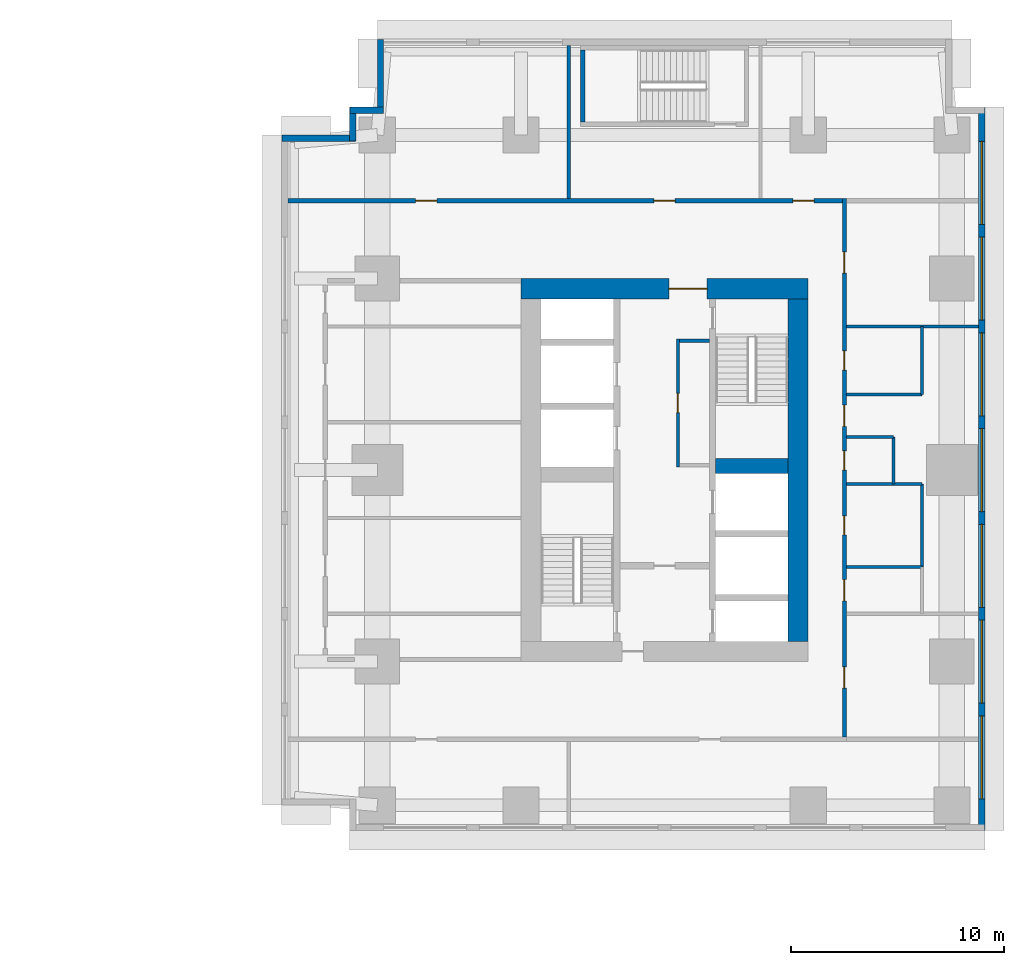
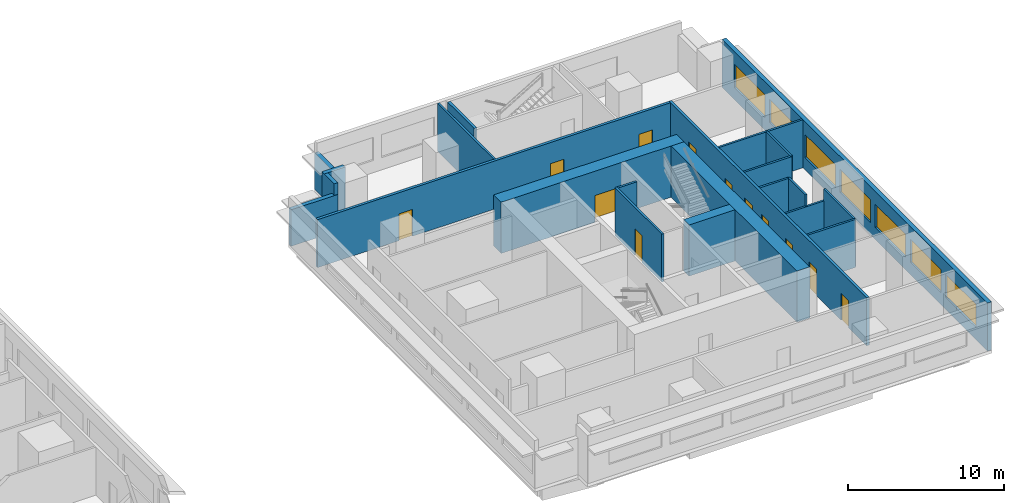
# One storey, part 7 of 11: 22 walls, 12 doors, 7 windows, 19 openings.
"""IFC4 building model written with IfcOpenShell, lengths in metres."""

from ifc_helpers import new_model, si_unit, direction, frame, frame_2d, origin, place, context, subcontext, project, spatial, rectangle, extrude, material, layer, layer_set, type_object, element, fill, save


model = new_model("IFC4")

# Units and contexts
model_context = context("Model", 3, precision=1e-05, world=origin(), true_north=direction((0.0, 1.0)))
body_context = subcontext(model_context, "Body", "Model", "MODEL_VIEW")
ifc_project = project(units=[si_unit("LENGTHUNIT", "METRE"), si_unit("AREAUNIT", "SQUARE_METRE"), si_unit("VOLUMEUNIT", "CUBIC_METRE"), si_unit("PLANEANGLEUNIT", "RADIAN"), si_unit("MASSUNIT", "GRAM", prefix="KILO")], contexts=[model_context])

# Site, building, storey
site_placement = place(None, origin())
site = spatial("IfcSite", under=ifc_project, at=site_placement, CompositionType="ELEMENT")
building_placement = place(site_placement, origin())
building = spatial("IfcBuilding", under=site, at=building_placement, Name="Namib Vertical Campus", CompositionType="ELEMENT")
storey_placement = place(building_placement, frame((0.0, 0.0, 85.0)))
storey = spatial("IfcBuildingStorey", under=building, at=storey_placement, Name="L19", CompositionType="ELEMENT", Elevation=85.0)

# Walls
ifc_material_1 = material(Name="Concrete C60/75", Category="concrete")
ifc_layer_1 = layer(ifc_material_1, 0.699951171875)
ifc_layer_set_1 = layer_set([ifc_layer_1], Name="Concrete C60/75")
wall_type_1 = type_object("IfcWallType", Name="Core shear wall 700", PredefinedType="SHEAR", material=ifc_layer_set_1)
wall_1_placement = place(storey_placement, frame((83.39990234375, 20.449951171875, 0.0), z_axis=(0.0, 0.0, 1.0), x_axis=(1.0, 0.0, 0.0)))
element("IfcWall", 1, at=wall_1_placement, inside=storey, type_object=wall_type_1, Name="Core shear wall B L19 W7", PredefinedType="SHEAR", context=body_context, shape_type="SweptSolid", body=[
    extrude(rectangle(XDim=3.400146484375, YDim=0.699951171875, at=frame_2d((1.7001953125, 0.0))), origin(), (0.0, 0.0, 1.0), 4.0),
])
ifc_material_2 = material(Name="Concrete C60/75", Category="concrete")
ifc_layer_2 = layer(ifc_material_2, 0.949951171875)
ifc_layer_set_2 = layer_set([ifc_layer_2], Name="Concrete C60/75")
wall_type_2 = type_object("IfcWallType", Name="Core wall 950", PredefinedType="SHEAR", material=ifc_layer_set_2)
wall_2_placement = place(storey_placement, frame((87.27490234375, 12.199951171875, 0.0), z_axis=(0.0, 0.0, 1.0), x_axis=(0.0, 1.0, 0.0)))
element("IfcWall", 2, at=wall_2_placement, inside=storey, type_object=wall_type_2, Name="Core wall B L19 2", PredefinedType="SHEAR", context=body_context, shape_type="SweptSolid", body=[
    extrude(rectangle(XDim=16.10009765625, YDim=0.949951171875, at=frame_2d((8.050048828125, 0.0))), origin(), (0.0, 0.0, 1.0), 4.0),
])

# Wall, opening, door
wall_3_placement = place(storey_placement, frame((87.75, 28.77490234375, 0.0), z_axis=(0.0, 0.0, 1.0), x_axis=(-1.0, 0.0, 0.0)))
wall_3 = element("IfcWall", 3, at=wall_3_placement, inside=storey, type_object=wall_type_2, Name="Core wall B L19 3", PredefinedType="SHEAR", context=body_context, shape_type="SweptSolid", body=[
    extrude(rectangle(XDim=13.5, YDim=0.949951171875, at=frame_2d((6.75, 0.0))), origin(), (0.0, 0.0, 1.0), 4.0),
])
opening_1_placement = place(wall_3_placement, frame((4.75, 0.0, 0.0)))
opening_1 = element("IfcOpeningElement", 4, at=opening_1_placement, cuts=wall_3, Name="Opening FD2", PredefinedType="OPENING", context=body_context, shape_type="SweptSolid", body=[
    extrude(rectangle(XDim=1.800048828125, YDim=2.10009765625, at=frame_2d((0.89990234375, 1.050048828125))), frame((0.0, 0.48486328125, 0.0), z_axis=(0.0, -1.0, 0.0), x_axis=(1.0, 0.0, 0.0)), (0.0, 0.0, 1.0), 0.969970703125),
])
ifc_material_3 = material(Name="Steel fire door", Category="steel")
door_type_1 = type_object("IfcDoorType", Name="Fire door double 1800x2100", OperationType="DOUBLE_DOOR_SINGLE_SWING", PredefinedType="DOOR", material=ifc_material_3)
door_1_placement = place(opening_1_placement, origin())
door_1 = element("IfcDoor", 5, at=door_1_placement, inside=storey, type_object=door_type_1, Name="Lift lobby door FD2 B L19", OperationType="DOUBLE_DOOR_SINGLE_SWING", OverallHeight=2.10009765625, OverallWidth=1.800048828125, PredefinedType="DOOR", context=body_context, shape_type="SweptSolid", body=[
    extrude(rectangle(XDim=1.800048828125, YDim=2.10009765625, at=frame_2d((0.89990234375, 1.050048828125))), frame((0.0, 0.02490234375, 0.0), z_axis=(0.0, -1.0, 0.0), x_axis=(1.0, 0.0, 0.0)), (0.0, 0.0, 1.0), 0.050048828125),
])
fill(opening_1, door_1)

# Wall, openings, doors
ifc_material_4 = material(Name="Concrete masonry", Category="masonry")
ifc_layer_3 = layer(ifc_material_4, 0.199951171875)
ifc_layer_set_3 = layer_set([ifc_layer_3], Name="Corridor wall 200")
wall_type_3 = type_object("IfcWallType", Name="Corridor wall 200", PredefinedType="SOLIDWALL", material=ifc_layer_set_3)
wall_4_placement = place(storey_placement, frame((89.449951171875, 7.699951171875, 0.0), z_axis=(0.0, 0.0, 1.0), x_axis=(0.0, 1.0, 0.0)))
wall_4 = element("IfcWall", 6, at=wall_4_placement, inside=storey, type_object=wall_type_3, Name="Corridor wall B L19 CE", PredefinedType="SOLIDWALL", context=body_context, shape_type="SweptSolid", body=[
    extrude(rectangle(XDim=25.300048828125, YDim=0.199951171875, at=frame_2d((12.64990234375, 0.0))), origin(), (0.0, 0.0, 1.0), 3.75),
])
opening_2_placement = place(wall_4_placement, frame((2.300048828125, 0.0, 0.0)))
opening_2 = element("IfcOpeningElement", 7, at=opening_2_placement, cuts=wall_4, Name="Opening CD1", PredefinedType="OPENING", context=body_context, shape_type="SweptSolid", body=[
    extrude(rectangle(XDim=1.0, YDim=2.10009765625, at=frame_2d((0.5, 1.050048828125))), frame((0.0, 0.10986328125, 0.0), z_axis=(0.0, -1.0, 0.0), x_axis=(1.0, 0.0, 0.0)), (0.0, 0.0, 1.0), 0.219970703125),
])
opening_3_placement = place(wall_4_placement, frame((6.39990234375, 0.0, 0.0)))
opening_3 = element("IfcOpeningElement", 8, at=opening_3_placement, cuts=wall_4, Name="Opening CD1", PredefinedType="OPENING", context=body_context, shape_type="SweptSolid", body=[
    extrude(rectangle(XDim=1.0, YDim=2.10009765625, at=frame_2d((0.5, 1.050048828125))), frame((0.0, 0.10986328125, 0.0), z_axis=(0.0, -1.0, 0.0), x_axis=(1.0, 0.0, 0.0)), (0.0, 0.0, 1.0), 0.219970703125),
])
opening_4_placement = place(wall_4_placement, frame((9.5, 0.0, 0.0)))
opening_4 = element("IfcOpeningElement", 9, at=opening_4_placement, cuts=wall_4, Name="Opening CD3", PredefinedType="OPENING", context=body_context, shape_type="SweptSolid", body=[
    extrude(rectangle(XDim=0.89990234375, YDim=2.10009765625, at=frame_2d((0.449951171875, 1.050048828125))), frame((0.0, 0.10986328125, 0.0), z_axis=(0.0, -1.0, 0.0), x_axis=(1.0, 0.0, 0.0)), (0.0, 0.0, 1.0), 0.219970703125),
])
opening_5_placement = place(wall_4_placement, frame((12.550048828125, 0.0, 0.0)))
opening_5 = element("IfcOpeningElement", 10, at=opening_5_placement, cuts=wall_4, Name="Opening CD3", PredefinedType="OPENING", context=body_context, shape_type="SweptSolid", body=[
    extrude(rectangle(XDim=0.89990234375, YDim=2.10009765625, at=frame_2d((0.449951171875, 1.050048828125))), frame((0.0, 0.10986328125, 0.0), z_axis=(0.0, -1.0, 0.0), x_axis=(1.0, 0.0, 0.0)), (0.0, 0.0, 1.0), 0.219970703125),
])
opening_6_placement = place(wall_4_placement, frame((17.25, 0.0, 0.0)))
opening_6 = element("IfcOpeningElement", 11, at=opening_6_placement, cuts=wall_4, Name="Opening CD3", PredefinedType="OPENING", context=body_context, shape_type="SweptSolid", body=[
    extrude(rectangle(XDim=0.89990234375, YDim=2.10009765625, at=frame_2d((0.449951171875, 1.050048828125))), frame((0.0, 0.10986328125, 0.0), z_axis=(0.0, -1.0, 0.0), x_axis=(1.0, 0.0, 0.0)), (0.0, 0.0, 1.0), 0.219970703125),
])
opening_7_placement = place(wall_4_placement, frame((14.60009765625, 0.0, 0.0)))
opening_7 = element("IfcOpeningElement", 12, at=opening_7_placement, cuts=wall_4, Name="Opening CD1", PredefinedType="OPENING", context=body_context, shape_type="SweptSolid", body=[
    extrude(rectangle(XDim=1.0, YDim=2.10009765625, at=frame_2d((0.5, 1.050048828125))), frame((0.0, 0.10986328125, 0.0), z_axis=(0.0, -1.0, 0.0), x_axis=(1.0, 0.0, 0.0)), (0.0, 0.0, 1.0), 0.219970703125),
])
opening_8_placement = place(wall_4_placement, frame((21.800048828125, 0.0, 0.0)))
opening_8 = element("IfcOpeningElement", 13, at=opening_8_placement, cuts=wall_4, Name="Opening CD1", PredefinedType="OPENING", context=body_context, shape_type="SweptSolid", body=[
    extrude(rectangle(XDim=1.0, YDim=2.10009765625, at=frame_2d((0.5, 1.050048828125))), frame((0.0, 0.10986328125, 0.0), z_axis=(0.0, -1.0, 0.0), x_axis=(1.0, 0.0, 0.0)), (0.0, 0.0, 1.0), 0.219970703125),
])
ifc_material_5 = material(Name="Timber fire door leaf", Category="wood")
door_type_2 = type_object("IfcDoorType", Name="Corridor door 1000x2100 20 min", OperationType="SINGLE_SWING_LEFT", PredefinedType="DOOR", material=ifc_material_5)
door_2_placement = place(opening_2_placement, frame((1.0, 0.0, 0.0), z_axis=(0.0, 0.0, 1.0), x_axis=(-1.0, 0.0, 0.0)))
door_2 = element("IfcDoor", 14, at=door_2_placement, inside=storey, type_object=door_type_2, Name="Door CD1 B19-03", OperationType="SINGLE_SWING_RIGHT", OverallHeight=2.10009765625, OverallWidth=1.0, PredefinedType="DOOR", context=body_context, shape_type="SweptSolid", body=[
    extrude(rectangle(XDim=1.0, YDim=2.10009765625, at=frame_2d((0.5, 1.050048828125))), frame((0.0, 0.02490234375, 0.0), z_axis=(0.0, -1.0, 0.0), x_axis=(1.0, 0.0, 0.0)), (0.0, 0.0, 1.0), 0.050048828125),
])
fill(opening_2, door_2)
door_3_placement = place(opening_3_placement, frame((1.0, 0.0, 0.0), z_axis=(0.0, 0.0, 1.0), x_axis=(-1.0, 0.0, 0.0)))
door_3 = element("IfcDoor", 15, at=door_3_placement, inside=storey, type_object=door_type_2, Name="Door CD1 B19-04", OperationType="SINGLE_SWING_RIGHT", OverallHeight=2.10009765625, OverallWidth=1.0, PredefinedType="DOOR", context=body_context, shape_type="SweptSolid", body=[
    extrude(rectangle(XDim=1.0, YDim=2.10009765625, at=frame_2d((0.5, 1.050048828125))), frame((0.0, 0.02490234375, 0.0), z_axis=(0.0, -1.0, 0.0), x_axis=(1.0, 0.0, 0.0)), (0.0, 0.0, 1.0), 0.050048828125),
])
fill(opening_3, door_3)
door_4_placement = place(opening_7_placement, frame((1.0, 0.0, 0.0), z_axis=(0.0, 0.0, 1.0), x_axis=(-1.0, 0.0, 0.0)))
door_4 = element("IfcDoor", 16, at=door_4_placement, inside=storey, type_object=door_type_2, Name="Door CD1 B19-08", OperationType="SINGLE_SWING_RIGHT", OverallHeight=2.10009765625, OverallWidth=1.0, PredefinedType="DOOR", context=body_context, shape_type="SweptSolid", body=[
    extrude(rectangle(XDim=1.0, YDim=2.10009765625, at=frame_2d((0.5, 1.050048828125))), frame((0.0, 0.02490234375, 0.0), z_axis=(0.0, -1.0, 0.0), x_axis=(1.0, 0.0, 0.0)), (0.0, 0.0, 1.0), 0.050048828125),
])
fill(opening_7, door_4)
door_5_placement = place(opening_8_placement, frame((1.0, 0.0, 0.0), z_axis=(0.0, 0.0, 1.0), x_axis=(-1.0, 0.0, 0.0)))
door_5 = element("IfcDoor", 17, at=door_5_placement, inside=storey, type_object=door_type_2, Name="Door CD1 B19-09", OperationType="SINGLE_SWING_RIGHT", OverallHeight=2.10009765625, OverallWidth=1.0, PredefinedType="DOOR", context=body_context, shape_type="SweptSolid", body=[
    extrude(rectangle(XDim=1.0, YDim=2.10009765625, at=frame_2d((0.5, 1.050048828125))), frame((0.0, 0.02490234375, 0.0), z_axis=(0.0, -1.0, 0.0), x_axis=(1.0, 0.0, 0.0)), (0.0, 0.0, 1.0), 0.050048828125),
])
fill(opening_8, door_5)
ifc_material_6 = material(Name="Timber fire door leaf", Category="wood")
door_type_3 = type_object("IfcDoorType", Name="Corridor toilet door 900x2100 20 min", OperationType="SINGLE_SWING_LEFT", PredefinedType="DOOR", material=ifc_material_6)
door_6_placement = place(opening_4_placement, frame((0.89990234375, 0.0, 0.0), z_axis=(0.0, 0.0, 1.0), x_axis=(-1.0, 0.0, 0.0)))
door_6 = element("IfcDoor", 18, at=door_6_placement, inside=storey, type_object=door_type_3, Name="Door CD3 B19-05", OperationType="SINGLE_SWING_RIGHT", OverallHeight=2.10009765625, OverallWidth=0.89990234375, PredefinedType="DOOR", context=body_context, shape_type="SweptSolid", body=[
    extrude(rectangle(XDim=0.89990234375, YDim=2.10009765625, at=frame_2d((0.449951171875, 1.050048828125))), frame((0.0, 0.02490234375, 0.0), z_axis=(0.0, -1.0, 0.0), x_axis=(1.0, 0.0, 0.0)), (0.0, 0.0, 1.0), 0.050048828125),
])
fill(opening_4, door_6)
door_7_placement = place(opening_5_placement, frame((0.89990234375, 0.0, 0.0), z_axis=(0.0, 0.0, 1.0), x_axis=(-1.0, 0.0, 0.0)))
door_7 = element("IfcDoor", 19, at=door_7_placement, inside=storey, type_object=door_type_3, Name="Door CD3 B19-06", OperationType="SINGLE_SWING_RIGHT", OverallHeight=2.10009765625, OverallWidth=0.89990234375, PredefinedType="DOOR", context=body_context, shape_type="SweptSolid", body=[
    extrude(rectangle(XDim=0.89990234375, YDim=2.10009765625, at=frame_2d((0.449951171875, 1.050048828125))), frame((0.0, 0.02490234375, 0.0), z_axis=(0.0, -1.0, 0.0), x_axis=(1.0, 0.0, 0.0)), (0.0, 0.0, 1.0), 0.050048828125),
])
fill(opening_5, door_7)
door_8_placement = place(opening_6_placement, frame((0.89990234375, 0.0, 0.0), z_axis=(0.0, 0.0, 1.0), x_axis=(-1.0, 0.0, 0.0)))
door_8 = element("IfcDoor", 20, at=door_8_placement, inside=storey, type_object=door_type_3, Name="Door CD3 B19-07", OperationType="SINGLE_SWING_RIGHT", OverallHeight=2.10009765625, OverallWidth=0.89990234375, PredefinedType="DOOR", context=body_context, shape_type="SweptSolid", body=[
    extrude(rectangle(XDim=0.89990234375, YDim=2.10009765625, at=frame_2d((0.449951171875, 1.050048828125))), frame((0.0, 0.02490234375, 0.0), z_axis=(0.0, -1.0, 0.0), x_axis=(1.0, 0.0, 0.0)), (0.0, 0.0, 1.0), 0.050048828125),
])
fill(opening_6, door_8)

wall_5_placement = place(storey_placement, frame((89.35009765625, 32.89990234375, 0.0), z_axis=(0.0, 0.0, 1.0), x_axis=(-1.0, 0.0, 0.0)))
wall_5 = element("IfcWall", 21, at=wall_5_placement, inside=storey, type_object=wall_type_3, Name="Corridor wall B L19 CN", PredefinedType="SOLIDWALL", context=body_context, shape_type="SweptSolid", body=[
    extrude(rectangle(XDim=26.050048828125, YDim=0.199951171875, at=frame_2d((13.02490234375, 0.0))), origin(), (0.0, 0.0, 1.0), 3.75),
])
opening_9_placement = place(wall_5_placement, frame((19.050048828125, 0.0, 0.0)))
opening_9 = element("IfcOpeningElement", 22, at=opening_9_placement, cuts=wall_5, Name="Opening CD1", PredefinedType="OPENING", context=body_context, shape_type="SweptSolid", body=[
    extrude(rectangle(XDim=1.0, YDim=2.10009765625, at=frame_2d((0.5, 1.050048828125))), frame((0.0, 0.10986328125, 0.0), z_axis=(0.0, -1.0, 0.0), x_axis=(1.0, 0.0, 0.0)), (0.0, 0.0, 1.0), 0.219970703125),
])
opening_10_placement = place(wall_5_placement, frame((7.85009765625, 0.0, 0.0)))
opening_10 = element("IfcOpeningElement", 23, at=opening_10_placement, cuts=wall_5, Name="Opening CD1", PredefinedType="OPENING", context=body_context, shape_type="SweptSolid", body=[
    extrude(rectangle(XDim=1.0, YDim=2.10009765625, at=frame_2d((0.5, 1.050048828125))), frame((0.0, 0.10986328125, 0.0), z_axis=(0.0, -1.0, 0.0), x_axis=(1.0, 0.0, 0.0)), (0.0, 0.0, 1.0), 0.219970703125),
])
opening_11_placement = place(wall_5_placement, frame((1.324951171875, 0.0, 0.0)))
opening_11 = element("IfcOpeningElement", 24, at=opening_11_placement, cuts=wall_5, Name="Opening CD1", PredefinedType="OPENING", context=body_context, shape_type="SweptSolid", body=[
    extrude(rectangle(XDim=1.0, YDim=2.10009765625, at=frame_2d((0.5, 1.050048828125))), frame((0.0, 0.10986328125, 0.0), z_axis=(0.0, -1.0, 0.0), x_axis=(1.0, 0.0, 0.0)), (0.0, 0.0, 1.0), 0.219970703125),
])
door_9_placement = place(opening_9_placement, frame((1.0, 0.0, 0.0), z_axis=(0.0, 0.0, 1.0), x_axis=(-1.0, 0.0, 0.0)))
door_9 = element("IfcDoor", 25, at=door_9_placement, inside=storey, type_object=door_type_2, Name="Door CD1 B19-10", OperationType="SINGLE_SWING_RIGHT", OverallHeight=2.10009765625, OverallWidth=1.0, PredefinedType="DOOR", context=body_context, shape_type="SweptSolid", body=[
    extrude(rectangle(XDim=1.0, YDim=2.10009765625, at=frame_2d((0.5, 1.050048828125))), frame((0.0, 0.02490234375, 0.0), z_axis=(0.0, -1.0, 0.0), x_axis=(1.0, 0.0, 0.0)), (0.0, 0.0, 1.0), 0.050048828125),
])
fill(opening_9, door_9)
door_10_placement = place(opening_10_placement, frame((1.0, 0.0, 0.0), z_axis=(0.0, 0.0, 1.0), x_axis=(-1.0, 0.0, 0.0)))
door_10 = element("IfcDoor", 26, at=door_10_placement, inside=storey, type_object=door_type_2, Name="Door CD1 B19-11", OperationType="SINGLE_SWING_RIGHT", OverallHeight=2.10009765625, OverallWidth=1.0, PredefinedType="DOOR", context=body_context, shape_type="SweptSolid", body=[
    extrude(rectangle(XDim=1.0, YDim=2.10009765625, at=frame_2d((0.5, 1.050048828125))), frame((0.0, 0.02490234375, 0.0), z_axis=(0.0, -1.0, 0.0), x_axis=(1.0, 0.0, 0.0)), (0.0, 0.0, 1.0), 0.050048828125),
])
fill(opening_10, door_10)
door_11_placement = place(opening_11_placement, frame((1.0, 0.0, 0.0), z_axis=(0.0, 0.0, 1.0), x_axis=(-1.0, 0.0, 0.0)))
door_11 = element("IfcDoor", 27, at=door_11_placement, inside=storey, type_object=door_type_2, Name="Door CD1 B19-12", OperationType="SINGLE_SWING_LEFT", OverallHeight=2.10009765625, OverallWidth=1.0, PredefinedType="DOOR", context=body_context, shape_type="SweptSolid", body=[
    extrude(rectangle(XDim=1.0, YDim=2.10009765625, at=frame_2d((0.5, 1.050048828125))), frame((0.0, 0.02490234375, 0.0), z_axis=(0.0, -1.0, 0.0), x_axis=(1.0, 0.0, 0.0)), (0.0, 0.0, 1.0), 0.050048828125),
])
fill(opening_11, door_11)

# Wall, openings, windows
ifc_material_7 = material(Name="Concrete C40/50", Category="concrete")
ifc_layer_4 = layer(ifc_material_7, 0.300048828125)
ifc_layer_set_4 = layer_set([ifc_layer_4], Name="Concrete C40/50")
wall_type_4 = type_object("IfcWallType", Name="External wall 300 board-marked concrete", PredefinedType="STANDARD", material=ifc_layer_set_4)
wall_6_placement = place(storey_placement, frame((95.89990234375, 3.320068359375, 0.0), z_axis=(0.0, 0.0, 1.0), x_axis=(0.0, 1.0, 0.0)))
wall_6 = element("IfcWall", 28, at=wall_6_placement, inside=storey, type_object=wall_type_4, Name="External wall L19 F04", PredefinedType="STANDARD", context=body_context, shape_type="SweptSolid", body=[
    extrude(rectangle(XDim=33.9599609375, YDim=0.300048828125, at=frame_2d((16.97998046875, 0.0))), origin(), (0.0, 0.0, 1.0), 3.75),
])
opening_12_placement = place(wall_6_placement, frame((1.47998046875, 0.0, 0.949951171875)))
opening_12 = element("IfcOpeningElement", 29, at=opening_12_placement, cuts=wall_6, Name="Opening W3", PredefinedType="OPENING", context=body_context, shape_type="SweptSolid", body=[
    extrude(rectangle(XDim=3.89990234375, YDim=1.800048828125, at=frame_2d((1.949951171875, 0.89990234375))), frame((0.0, 0.159912109375, 0.0), z_axis=(0.0, -1.0, 0.0), x_axis=(1.0, 0.0, 0.0)), (0.0, 0.0, 1.0), 0.320068359375),
])
opening_13_placement = place(wall_6_placement, frame((5.97998046875, 0.0, 0.949951171875)))
opening_13 = element("IfcOpeningElement", 30, at=opening_13_placement, cuts=wall_6, Name="Opening W3", PredefinedType="OPENING", context=body_context, shape_type="SweptSolid", body=[
    extrude(rectangle(XDim=3.89990234375, YDim=1.800048828125, at=frame_2d((1.949951171875, 0.89990234375))), frame((0.0, 0.159912109375, 0.0), z_axis=(0.0, -1.0, 0.0), x_axis=(1.0, 0.0, 0.0)), (0.0, 0.0, 1.0), 0.320068359375),
])
opening_14_placement = place(wall_6_placement, frame((10.47998046875, 0.0, 0.949951171875)))
opening_14 = element("IfcOpeningElement", 31, at=opening_14_placement, cuts=wall_6, Name="Opening W3", PredefinedType="OPENING", context=body_context, shape_type="SweptSolid", body=[
    extrude(rectangle(XDim=3.89990234375, YDim=1.800048828125, at=frame_2d((1.949951171875, 0.89990234375))), frame((0.0, 0.159912109375, 0.0), z_axis=(0.0, -1.0, 0.0), x_axis=(1.0, 0.0, 0.0)), (0.0, 0.0, 1.0), 0.320068359375),
])
opening_15_placement = place(wall_6_placement, frame((14.97998046875, 0.0, 0.949951171875)))
opening_15 = element("IfcOpeningElement", 32, at=opening_15_placement, cuts=wall_6, Name="Opening W3", PredefinedType="OPENING", context=body_context, shape_type="SweptSolid", body=[
    extrude(rectangle(XDim=3.89990234375, YDim=1.800048828125, at=frame_2d((1.949951171875, 0.89990234375))), frame((0.0, 0.159912109375, 0.0), z_axis=(0.0, -1.0, 0.0), x_axis=(1.0, 0.0, 0.0)), (0.0, 0.0, 1.0), 0.320068359375),
])
opening_16_placement = place(wall_6_placement, frame((19.47998046875, 0.0, 0.949951171875)))
opening_16 = element("IfcOpeningElement", 33, at=opening_16_placement, cuts=wall_6, Name="Opening W3", PredefinedType="OPENING", context=body_context, shape_type="SweptSolid", body=[
    extrude(rectangle(XDim=3.89990234375, YDim=1.800048828125, at=frame_2d((1.949951171875, 0.89990234375))), frame((0.0, 0.159912109375, 0.0), z_axis=(0.0, -1.0, 0.0), x_axis=(1.0, 0.0, 0.0)), (0.0, 0.0, 1.0), 0.320068359375),
])
opening_17_placement = place(wall_6_placement, frame((23.97998046875, 0.0, 0.949951171875)))
opening_17 = element("IfcOpeningElement", 34, at=opening_17_placement, cuts=wall_6, Name="Opening W3", PredefinedType="OPENING", context=body_context, shape_type="SweptSolid", body=[
    extrude(rectangle(XDim=3.89990234375, YDim=1.800048828125, at=frame_2d((1.949951171875, 0.89990234375))), frame((0.0, 0.159912109375, 0.0), z_axis=(0.0, -1.0, 0.0), x_axis=(1.0, 0.0, 0.0)), (0.0, 0.0, 1.0), 0.320068359375),
])
opening_18_placement = place(wall_6_placement, frame((28.47998046875, 0.0, 0.949951171875)))
opening_18 = element("IfcOpeningElement", 35, at=opening_18_placement, cuts=wall_6, Name="Opening W3", PredefinedType="OPENING", context=body_context, shape_type="SweptSolid", body=[
    extrude(rectangle(XDim=3.89990234375, YDim=1.800048828125, at=frame_2d((1.949951171875, 0.89990234375))), frame((0.0, 0.159912109375, 0.0), z_axis=(0.0, -1.0, 0.0), x_axis=(1.0, 0.0, 0.0)), (0.0, 0.0, 1.0), 0.320068359375),
])
ifc_material_8 = material(Name="Dark tinted glass in black aluminium frame", Category="aluminium")
window_type = type_object("IfcWindowType", Name="Ribbon window 3900x1800", PartitioningType="SINGLE_PANEL", PredefinedType="WINDOW", material=ifc_material_8)
window_1_placement = place(opening_12_placement, origin())
window_1 = element("IfcWindow", 36, at=window_1_placement, inside=storey, type_object=window_type, Name="Window W3 L19 F04-1", OverallHeight=1.800048828125, OverallWidth=3.89990234375, PartitioningType="SINGLE_PANEL", PredefinedType="WINDOW", context=body_context, shape_type="SweptSolid", body=[
    extrude(rectangle(XDim=3.89990234375, YDim=1.800048828125, at=frame_2d((1.949951171875, 0.89990234375))), frame((0.0, 0.030029296875, 0.0), z_axis=(0.0, -1.0, 0.0), x_axis=(1.0, 0.0, 0.0)), (0.0, 0.0, 1.0), 0.06005859375),
])
fill(opening_12, window_1)
window_2_placement = place(opening_13_placement, origin())
window_2 = element("IfcWindow", 37, at=window_2_placement, inside=storey, type_object=window_type, Name="Window W3 L19 F04-2", OverallHeight=1.800048828125, OverallWidth=3.89990234375, PartitioningType="SINGLE_PANEL", PredefinedType="WINDOW", context=body_context, shape_type="SweptSolid", body=[
    extrude(rectangle(XDim=3.89990234375, YDim=1.800048828125, at=frame_2d((1.949951171875, 0.89990234375))), frame((0.0, 0.030029296875, 0.0), z_axis=(0.0, -1.0, 0.0), x_axis=(1.0, 0.0, 0.0)), (0.0, 0.0, 1.0), 0.06005859375),
])
fill(opening_13, window_2)
window_3_placement = place(opening_14_placement, origin())
window_3 = element("IfcWindow", 38, at=window_3_placement, inside=storey, type_object=window_type, Name="Window W3 L19 F04-3", OverallHeight=1.800048828125, OverallWidth=3.89990234375, PartitioningType="SINGLE_PANEL", PredefinedType="WINDOW", context=body_context, shape_type="SweptSolid", body=[
    extrude(rectangle(XDim=3.89990234375, YDim=1.800048828125, at=frame_2d((1.949951171875, 0.89990234375))), frame((0.0, 0.030029296875, 0.0), z_axis=(0.0, -1.0, 0.0), x_axis=(1.0, 0.0, 0.0)), (0.0, 0.0, 1.0), 0.06005859375),
])
fill(opening_14, window_3)
window_4_placement = place(opening_15_placement, origin())
window_4 = element("IfcWindow", 39, at=window_4_placement, inside=storey, type_object=window_type, Name="Window W3 L19 F04-4", OverallHeight=1.800048828125, OverallWidth=3.89990234375, PartitioningType="SINGLE_PANEL", PredefinedType="WINDOW", context=body_context, shape_type="SweptSolid", body=[
    extrude(rectangle(XDim=3.89990234375, YDim=1.800048828125, at=frame_2d((1.949951171875, 0.89990234375))), frame((0.0, 0.030029296875, 0.0), z_axis=(0.0, -1.0, 0.0), x_axis=(1.0, 0.0, 0.0)), (0.0, 0.0, 1.0), 0.06005859375),
])
fill(opening_15, window_4)
window_5_placement = place(opening_16_placement, origin())
window_5 = element("IfcWindow", 40, at=window_5_placement, inside=storey, type_object=window_type, Name="Window W3 L19 F04-5", OverallHeight=1.800048828125, OverallWidth=3.89990234375, PartitioningType="SINGLE_PANEL", PredefinedType="WINDOW", context=body_context, shape_type="SweptSolid", body=[
    extrude(rectangle(XDim=3.89990234375, YDim=1.800048828125, at=frame_2d((1.949951171875, 0.89990234375))), frame((0.0, 0.030029296875, 0.0), z_axis=(0.0, -1.0, 0.0), x_axis=(1.0, 0.0, 0.0)), (0.0, 0.0, 1.0), 0.06005859375),
])
fill(opening_16, window_5)
window_6_placement = place(opening_17_placement, origin())
window_6 = element("IfcWindow", 41, at=window_6_placement, inside=storey, type_object=window_type, Name="Window W3 L19 F04-6", OverallHeight=1.800048828125, OverallWidth=3.89990234375, PartitioningType="SINGLE_PANEL", PredefinedType="WINDOW", context=body_context, shape_type="SweptSolid", body=[
    extrude(rectangle(XDim=3.89990234375, YDim=1.800048828125, at=frame_2d((1.949951171875, 0.89990234375))), frame((0.0, 0.030029296875, 0.0), z_axis=(0.0, -1.0, 0.0), x_axis=(1.0, 0.0, 0.0)), (0.0, 0.0, 1.0), 0.06005859375),
])
fill(opening_17, window_6)
window_7_placement = place(opening_18_placement, origin())
window_7 = element("IfcWindow", 42, at=window_7_placement, inside=storey, type_object=window_type, Name="Window W3 L19 F04-7", OverallHeight=1.800048828125, OverallWidth=3.89990234375, PartitioningType="SINGLE_PANEL", PredefinedType="WINDOW", context=body_context, shape_type="SweptSolid", body=[
    extrude(rectangle(XDim=3.89990234375, YDim=1.800048828125, at=frame_2d((1.949951171875, 0.89990234375))), frame((0.0, 0.030029296875, 0.0), z_axis=(0.0, -1.0, 0.0), x_axis=(1.0, 0.0, 0.0)), (0.0, 0.0, 1.0), 0.06005859375),
])
fill(opening_18, window_7)

# Walls
wall_7_placement = place(storey_placement, frame((67.64990234375, 40.47998046875, 0.0), z_axis=(0.0, 0.0, 1.0), x_axis=(0.0, -1.0, 0.0)))
element("IfcWall", 43, at=wall_7_placement, inside=storey, type_object=wall_type_4, Name="External wall L19 F08", PredefinedType="STANDARD", context=body_context, shape_type="SweptSolid", body=[
    extrude(rectangle(XDim=3.4599609375, YDim=0.300048828125, at=frame_2d((1.72998046875, 0.0))), origin(), (0.0, 0.0, 1.0), 2.85009765625),
])
for number, where, z_axis, x_axis, name in (
    (44, (67.780029296875, 37.14990234375, 0.0), (0.0, 0.0, 1.0), (-1.0, 0.0, 0.0), "External wall L19 F09"),
    (45, (66.35009765625, 37.280029296875, 0.0), (0.0, 0.0, 1.0), (0.0, -1.0, 0.0), "External wall L19 F10"),
):
    element("IfcWall", number, at=place(storey_placement, frame(where, z_axis=z_axis, x_axis=x_axis)), inside=storey, type_object=wall_type_4, Name=name, PredefinedType="STANDARD", context=body_context, shape_type="SweptSolid", body=[
        extrude(rectangle(XDim=1.56005859375, YDim=0.300048828125, at=frame_2d((0.780029296875, 0.0))), origin(), (0.0, 0.0, 1.0), 3.75),
    ])
wall_8_placement = place(storey_placement, frame((66.47998046875, 35.85009765625, 0.0), z_axis=(0.0, 0.0, 1.0), x_axis=(-1.0, 0.0, 0.0)))
element("IfcWall", 46, at=wall_8_placement, inside=storey, type_object=wall_type_4, Name="External wall L19 F11", PredefinedType="STANDARD", context=body_context, shape_type="SweptSolid", body=[
    extrude(rectangle(XDim=3.4599609375, YDim=0.300048828125, at=frame_2d((1.72998046875, 0.0))), origin(), (0.0, 0.0, 1.0), 2.85009765625),
])

# Wall, opening, door
ifc_material_9 = material(Name="Gypsum board on steel studs", Category="steel")
ifc_layer_5 = layer(ifc_material_9, 0.14990234375)
ifc_layer_set_5 = layer_set([ifc_layer_5], Name="Gypsum board on steel studs")
wall_type_5 = type_object("IfcWallType", Name="Partition 150", PredefinedType="PARTITIONING", material=ifc_layer_set_5)
wall_9_placement = place(storey_placement, frame((81.625, 20.39990234375, 0.0), z_axis=(0.0, 0.0, 1.0), x_axis=(0.0, 1.0, 0.0)))
wall_9 = element("IfcWall", 47, at=wall_9_placement, inside=storey, type_object=wall_type_5, Name="Partition B L19 Store front", PredefinedType="PARTITIONING", context=body_context, shape_type="SweptSolid", body=[
    extrude(rectangle(XDim=6.0, YDim=0.14990234375, at=frame_2d((3.0, 0.0))), origin(), (0.0, 0.0, 1.0), 3.75),
])
opening_19_placement = place(wall_9_placement, frame((2.550048828125, 0.0, 0.0)))
opening_19 = element("IfcOpeningElement", 48, at=opening_19_placement, cuts=wall_9, Name="Opening D3", PredefinedType="OPENING", context=body_context, shape_type="SweptSolid", body=[
    extrude(rectangle(XDim=0.89990234375, YDim=2.10009765625, at=frame_2d((0.449951171875, 1.050048828125))), frame((0.0, 0.0849609375, 0.0), z_axis=(0.0, -1.0, 0.0), x_axis=(1.0, 0.0, 0.0)), (0.0, 0.0, 1.0), 0.169921875),
])
ifc_material_10 = material(Name="Timber door leaf", Category="wood")
door_type_4 = type_object("IfcDoorType", Name="Toilet door 900x2100", OperationType="SINGLE_SWING_LEFT", PredefinedType="DOOR", material=ifc_material_10)
door_12_placement = place(opening_19_placement, frame((0.89990234375, 0.0, 0.0), z_axis=(0.0, 0.0, 1.0), x_axis=(-1.0, 0.0, 0.0)))
door_12 = element("IfcDoor", 49, at=door_12_placement, inside=storey, type_object=door_type_4, Name="Door D3 Store B L19", OperationType="SINGLE_SWING_RIGHT", OverallHeight=2.10009765625, OverallWidth=0.89990234375, PredefinedType="DOOR", context=body_context, shape_type="SweptSolid", body=[
    extrude(rectangle(XDim=0.89990234375, YDim=2.10009765625, at=frame_2d((0.449951171875, 1.050048828125))), frame((0.0, 0.02490234375, 0.0), z_axis=(0.0, -1.0, 0.0), x_axis=(1.0, 0.0, 0.0)), (0.0, 0.0, 1.0), 0.050048828125),
])
fill(opening_19, door_12)

# Walls
wall_10_placement = place(storey_placement, frame((81.699951171875, 26.324951171875, 0.0), z_axis=(0.0, 0.0, 1.0), x_axis=(1.0, 0.0, 0.0)))
element("IfcWall", 50, at=wall_10_placement, inside=storey, type_object=wall_type_5, Name="Partition B L19 Store end 2", PredefinedType="PARTITIONING", context=body_context, shape_type="SweptSolid", body=[
    extrude(rectangle(XDim=1.400146484375, YDim=0.14990234375, at=frame_2d((0.7001953125, 0.0))), origin(), (0.0, 0.0, 1.0), 3.75),
])
wall_11_placement = place(storey_placement, frame((76.5, 33.0, 0.0), z_axis=(0.0, 0.0, 1.0), x_axis=(0.0, 1.0, 0.0)))
element("IfcWall", 51, at=wall_11_placement, inside=storey, type_object=wall_type_5, Name="Partition B L19 PN1", PredefinedType="PARTITIONING", context=body_context, shape_type="SweptSolid", body=[
    extrude(rectangle(XDim=7.199951171875, YDim=0.14990234375, at=frame_2d((3.60009765625, 0.0))), origin(), (0.0, 0.0, 1.0), 3.75),
])
wall_12_placement = place(storey_placement, frame((89.550048828125, 27.0, 0.0), z_axis=(0.0, 0.0, 1.0), x_axis=(1.0, 0.0, 0.0)))
element("IfcWall", 52, at=wall_12_placement, inside=storey, type_object=wall_type_5, Name="Partition B L19 PE2", PredefinedType="PARTITIONING", context=body_context, shape_type="SweptSolid", body=[
    extrude(rectangle(XDim=6.199951171875, YDim=0.14990234375, at=frame_2d((3.10009765625, 0.0))), origin(), (0.0, 0.0, 1.0), 3.75),
])
wall_13_placement = place(storey_placement, frame((89.550048828125, 15.699951171875, 0.0), z_axis=(0.0, 0.0, 1.0), x_axis=(1.0, 0.0, 0.0)))
element("IfcWall", 53, at=wall_13_placement, inside=storey, type_object=wall_type_5, Name="Partition B L19 WR1", PredefinedType="PARTITIONING", context=body_context, shape_type="SweptSolid", body=[
    extrude(rectangle(XDim=3.550048828125, YDim=0.14990234375, at=frame_2d((1.77490234375, 0.0))), origin(), (0.0, 0.0, 1.0), 3.75),
])
wall_14_placement = place(storey_placement, frame((89.550048828125, 19.60009765625, 0.0), z_axis=(0.0, 0.0, 1.0), x_axis=(1.0, 0.0, 0.0)))
element("IfcWall", 54, at=wall_14_placement, inside=storey, type_object=wall_type_5, Name="Partition B L19 WR2", PredefinedType="PARTITIONING", context=body_context, shape_type="SweptSolid", body=[
    extrude(rectangle(XDim=3.550048828125, YDim=0.14990234375, at=frame_2d((1.77490234375, 0.0))), origin(), (0.0, 0.0, 1.0), 2.85009765625),
])
wall_15_placement = place(storey_placement, frame((89.550048828125, 21.800048828125, 0.0), z_axis=(0.0, 0.0, 1.0), x_axis=(1.0, 0.0, 0.0)))
element("IfcWall", 55, at=wall_15_placement, inside=storey, type_object=wall_type_5, Name="Partition B L19 WR3", PredefinedType="PARTITIONING", context=body_context, shape_type="SweptSolid", body=[
    extrude(rectangle(XDim=2.199951171875, YDim=0.14990234375, at=frame_2d((1.10009765625, 0.0))), origin(), (0.0, 0.0, 1.0), 3.75),
])
wall_16_placement = place(storey_placement, frame((89.550048828125, 23.800048828125, 0.0), z_axis=(0.0, 0.0, 1.0), x_axis=(1.0, 0.0, 0.0)))
element("IfcWall", 56, at=wall_16_placement, inside=storey, type_object=wall_type_5, Name="Partition B L19 WR4", PredefinedType="PARTITIONING", context=body_context, shape_type="SweptSolid", body=[
    extrude(rectangle(XDim=3.550048828125, YDim=0.14990234375, at=frame_2d((1.77490234375, 0.0))), origin(), (0.0, 0.0, 1.0), 3.75),
])
wall_17_placement = place(storey_placement, frame((93.10009765625, 15.699951171875, 0.0), z_axis=(0.0, 0.0, 1.0), x_axis=(0.0, 1.0, 0.0)))
element("IfcWall", 57, at=wall_17_placement, inside=storey, type_object=wall_type_5, Name="Partition B L19 WB2", PredefinedType="PARTITIONING", context=body_context, shape_type="SweptSolid", body=[
    extrude(rectangle(XDim=3.900146484375, YDim=0.14990234375, at=frame_2d((1.9501953125, 0.0))), origin(), (0.0, 0.0, 1.0), 3.75),
])
wall_18_placement = place(storey_placement, frame((91.75, 19.60009765625, 0.0), z_axis=(0.0, 0.0, 1.0), x_axis=(0.0, 1.0, 0.0)))
element("IfcWall", 58, at=wall_18_placement, inside=storey, type_object=wall_type_5, Name="Partition B L19 WB3", PredefinedType="PARTITIONING", context=body_context, shape_type="SweptSolid", body=[
    extrude(rectangle(XDim=2.199951171875, YDim=0.14990234375, at=frame_2d((1.10009765625, 0.0))), origin(), (0.0, 0.0, 1.0), 3.75),
])
wall_19_placement = place(storey_placement, frame((93.10009765625, 23.800048828125, 0.0), z_axis=(0.0, 0.0, 1.0), x_axis=(0.0, 1.0, 0.0)))
element("IfcWall", 59, at=wall_19_placement, inside=storey, type_object=wall_type_5, Name="Partition B L19 WB4", PredefinedType="PARTITIONING", context=body_context, shape_type="SweptSolid", body=[
    extrude(rectangle(XDim=3.199951171875, YDim=0.14990234375, at=frame_2d((1.60009765625, 0.0))), origin(), (0.0, 0.0, 1.0), 3.75),
])
ifc_material_11 = material(Name="Concrete C40/50", Category="concrete")
ifc_layer_6 = layer(ifc_material_11, 0.199951171875)
ifc_layer_set_6 = layer_set([ifc_layer_6], Name="Concrete C40/50")
wall_type_6 = type_object("IfcWallType", Name="Stair enclosure wall RC 200", PredefinedType="SOLIDWALL", material=ifc_layer_set_6)
wall_20_placement = place(storey_placement, frame((77.14990234375, 36.60009765625, 0.0), z_axis=(0.0, 0.0, 1.0), x_axis=(0.0, 1.0, 0.0)))
element("IfcWall", 60, at=wall_20_placement, inside=storey, type_object=wall_type_6, Name="Stair enclosure wall B-S3 L19 W", PredefinedType="SOLIDWALL", context=body_context, shape_type="SweptSolid", body=[
    extrude(rectangle(XDim=3.39990234375, YDim=0.199951171875, at=frame_2d((1.699951171875, 0.0))), origin(), (0.0, 0.0, 1.0), 3.75),
])

save(model, "model.ifc")
